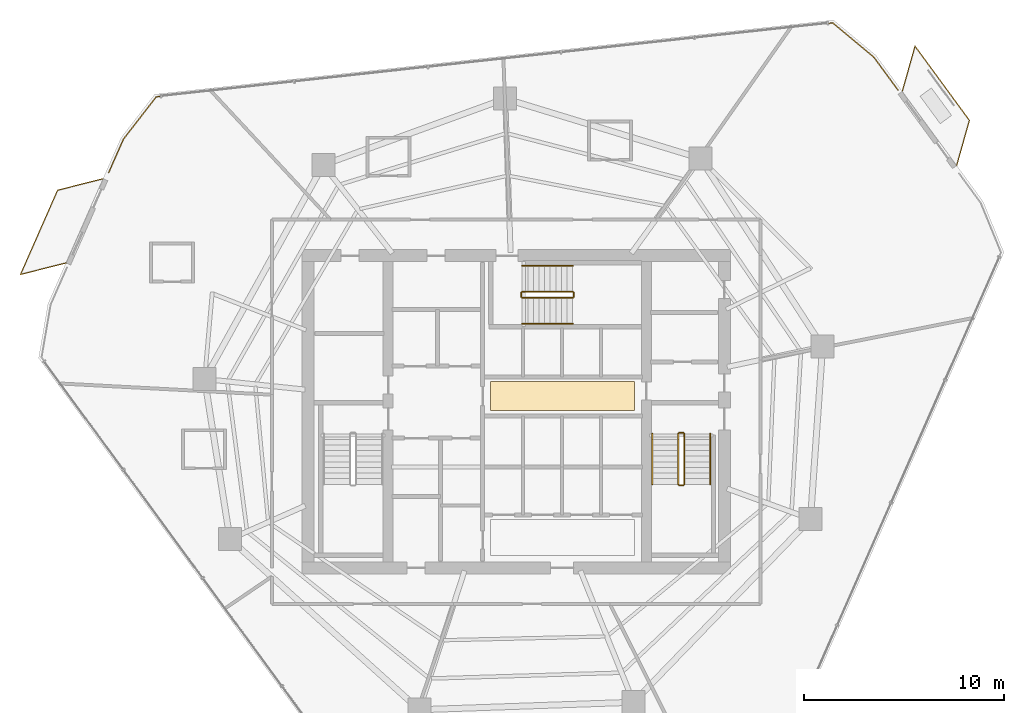
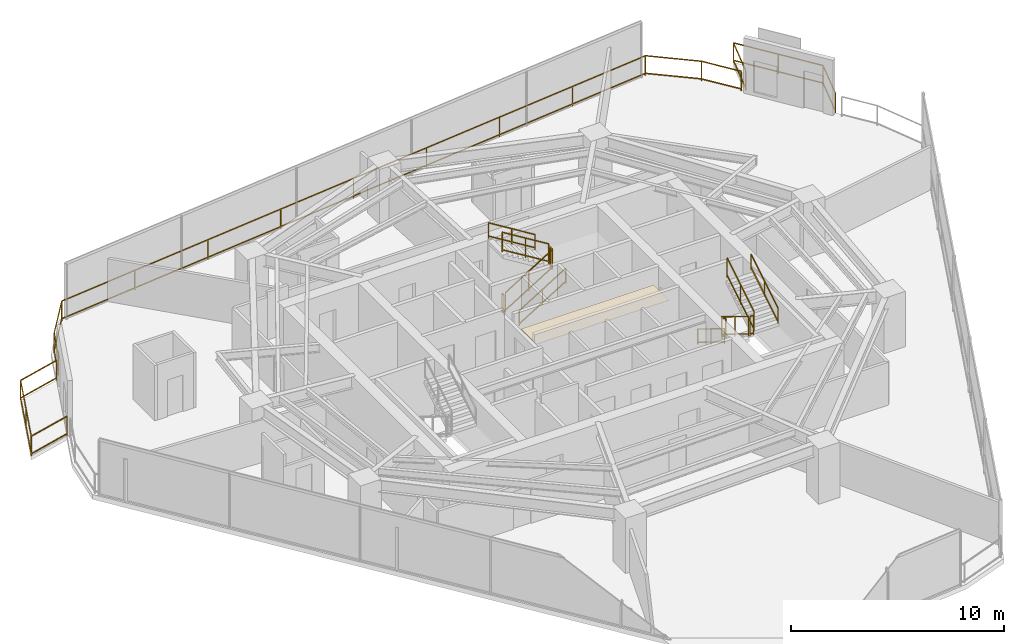
# One storey, part 30 of 30: 16 railings, 1 covering.
"""IFC4 building model written with IfcOpenShell, lengths in metres."""

from ifc_helpers import new_model, si_unit, direction, frame, origin, origin_2d, place, context, subcontext, project, spatial, rectangle, extrude, material, layer, layer_set, type_object, element, save


model = new_model("IFC4")

# Units and contexts
model_context = context("Model", 3, precision=1e-05, world=origin(), true_north=direction((0.0, 1.0)))
body_context = subcontext(model_context, "Body", "Model", "MODEL_VIEW")
ifc_project = project(units=[si_unit("LENGTHUNIT", "METRE"), si_unit("AREAUNIT", "SQUARE_METRE"), si_unit("VOLUMEUNIT", "CUBIC_METRE"), si_unit("PLANEANGLEUNIT", "RADIAN"), si_unit("MASSUNIT", "GRAM", prefix="KILO")], contexts=[model_context])

# Site, building, storey
site_placement = place(None, origin())
site = spatial("IfcSite", under=ifc_project, at=site_placement, CompositionType="ELEMENT")
building_placement = place(site_placement, origin())
building = spatial("IfcBuilding", under=site, at=building_placement, Name="Qarnah Convention Tower", CompositionType="ELEMENT")
storey_placement = place(building_placement, frame((0.0, 0.0, 90.14990234375)))
storey = spatial("IfcBuildingStorey", under=building, at=storey_placement, Name="L23", CompositionType="ELEMENT", Elevation=90.14990234375)

# Covering
ifc_material_1 = material(Name="Mineral fibre acoustic ceiling")
ifc_layer = layer(ifc_material_1, 0.02001953125)
ifc_layer_set = layer_set([ifc_layer], Name="Mineral fibre acoustic ceiling")
covering_type = type_object("IfcCoveringType", Name="COV-CEIL-20", PredefinedType="CEILING", material=ifc_layer_set)
covering_placement = place(storey_placement, frame((39.52001953125, 27.179931640625, 2.2900390625), z_axis=(0.0, 0.0, 1.0), x_axis=(1.0, 0.0, 0.0)))
element("IfcCovering", 1, at=covering_placement, inside=storey, type_object=covering_type, Name="L23 lift lobby acoustic ceiling", PredefinedType="CEILING", context=body_context, shape_type="SweptSolid", body=[
    extrude(rectangle(XDim=7.199951171875, YDim=1.449951171875, at=origin_2d()), origin(), (0.0, 0.0, 1.0), 0.02001953125),
])

# Railings
ifc_material_2 = material(Name="Black anodised aluminium", Category="aluminium")
railing_type_1 = type_object("IfcRailingType", Name="RL-EXT-GUARD-1150", PredefinedType="GUARDRAIL", material=ifc_material_2)
railing_1_placement = place(storey_placement, frame((55.069091796875, 44.115966796875, 0.0)))
element("IfcRailing", 2, at=railing_1_placement, inside=storey, type_object=railing_type_1, Name="L23 slab-edge perimeter safety guard 01", PredefinedType="GUARDRAIL", context=body_context, shape_type="SweptSolid", body=[
    extrude(rectangle(XDim=0.048095703125, YDim=0.048095703125, at=origin_2d()), frame((0.0, 0.0, 1.1259765625), z_axis=(0.591192404891, -0.806530557635, 0.0), x_axis=(0.806530557635, 0.591192404891, 0.0)), (0.0, 0.0, 1.0), 2.03955078125),
    extrude(rectangle(XDim=0.048095703125, YDim=0.048095703125, at=origin_2d()), frame((0.0, 0.0, 0.1201171875), z_axis=(0.591192404891, -0.806530557635, 0.0), x_axis=(0.806530557635, 0.591192404891, 0.0)), (0.0, 0.0, 1.0), 2.03955078125),
    extrude(rectangle(XDim=0.0419921875, YDim=0.0419921875, at=origin_2d()), origin(), (0.0, 0.0, 1.0), 1.101806640625),
    extrude(rectangle(XDim=0.0419921875, YDim=0.0419921875, at=origin_2d()), frame((1.205810546875, -1.64501953125, 0.0)), (0.0, 0.0, 1.0), 1.101806640625),
])
railing_2_placement = place(storey_placement, frame((16.843017578125, 38.343994140625, 0.0)))
element("IfcRailing", 3, at=railing_2_placement, inside=storey, type_object=railing_type_1, Name="L23 slab-edge perimeter safety guard 03", PredefinedType="GUARDRAIL", context=body_context, shape_type="SweptSolid", body=[
    extrude(rectangle(XDim=0.048095703125, YDim=0.048095703125, at=origin_2d()), frame((0.0, 0.0, 1.1259765625), z_axis=(0.402953304167, 0.915220538811, 0.0), x_axis=(-0.915220538811, 0.402953304167, 0.0)), (0.0, 0.0, 1.0), 1.8291015625),
    extrude(rectangle(XDim=0.048095703125, YDim=0.048095703125, at=origin_2d()), frame((0.0, 0.0, 0.1201171875), z_axis=(0.402953304167, 0.915220538811, 0.0), x_axis=(-0.915220538811, 0.402953304167, 0.0)), (0.0, 0.0, 1.0), 1.8291015625),
    extrude(rectangle(XDim=0.048095703125, YDim=0.048095703125, at=origin_2d()), frame((0.737060546875, 1.674072265625, 1.1259765625), z_axis=(0.612473275698, 0.790491294421, 0.0), x_axis=(-0.790491294421, 0.612473275698, 0.0)), (0.0, 0.0, 1.0), 2.67431640625),
    extrude(rectangle(XDim=0.048095703125, YDim=0.048095703125, at=origin_2d()), frame((0.737060546875, 1.674072265625, 0.1201171875), z_axis=(0.612473275698, 0.790491294421, 0.0), x_axis=(-0.790491294421, 0.612473275698, 0.0)), (0.0, 0.0, 1.0), 2.67431640625),
    extrude(rectangle(XDim=0.048095703125, YDim=0.048095703125, at=origin_2d()), frame((2.375, 3.7880859375, 1.1259765625), z_axis=(0.994076784193, 0.108680021758, 0.0), x_axis=(-0.108680021758, 0.994076784193, 0.0)), (0.0, 0.0, 1.0), 33.997314453125),
    extrude(rectangle(XDim=0.048095703125, YDim=0.048095703125, at=origin_2d()), frame((2.375, 3.7880859375, 0.1201171875), z_axis=(0.994076784193, 0.108680021758, 0.0), x_axis=(-0.108680021758, 0.994076784193, 0.0)), (0.0, 0.0, 1.0), 33.997314453125),
    extrude(rectangle(XDim=0.048095703125, YDim=0.048095703125, at=origin_2d()), frame((36.1708984375, 7.48291015625, 1.1259765625), z_axis=(0.768535487074, -0.639807162439, 0.0), x_axis=(0.639807162439, 0.768535487074, 0.0)), (0.0, 0.0, 1.0), 2.674072265625),
    extrude(rectangle(XDim=0.048095703125, YDim=0.048095703125, at=origin_2d()), frame((36.1708984375, 7.48291015625, 0.1201171875), z_axis=(0.768535487074, -0.639807162439, 0.0), x_axis=(0.639807162439, 0.768535487074, 0.0)), (0.0, 0.0, 1.0), 2.674072265625),
    extrude(rectangle(XDim=0.0419921875, YDim=0.0419921875, at=origin_2d()), origin(), (0.0, 0.0, 1.0), 1.101806640625),
    extrude(rectangle(XDim=0.0419921875, YDim=0.0419921875, at=origin_2d()), frame((0.737060546875, 1.674072265625, 0.0)), (0.0, 0.0, 1.0), 1.101806640625),
    extrude(rectangle(XDim=0.0419921875, YDim=0.0419921875, at=origin_2d()), frame((2.375, 3.7880859375, 0.0)), (0.0, 0.0, 1.0), 1.101806640625),
    extrude(rectangle(XDim=0.0419921875, YDim=0.0419921875, at=origin_2d()), frame((6.599609375, 4.25, 0.0)), (0.0, 0.0, 1.0), 1.101806640625),
    extrude(rectangle(XDim=0.0419921875, YDim=0.0419921875, at=origin_2d()), frame((10.823974609375, 4.7119140625, 0.0)), (0.0, 0.0, 1.0), 1.101806640625),
    extrude(rectangle(XDim=0.0419921875, YDim=0.0419921875, at=origin_2d()), frame((15.04833984375, 5.173583984375, 0.0)), (0.0, 0.0, 1.0), 1.101806640625),
    extrude(rectangle(XDim=0.0419921875, YDim=0.0419921875, at=origin_2d()), frame((19.27294921875, 5.635498046875, 0.0)), (0.0, 0.0, 1.0), 1.101806640625),
    extrude(rectangle(XDim=0.0419921875, YDim=0.0419921875, at=origin_2d()), frame((23.49755859375, 6.097412109375, 0.0)), (0.0, 0.0, 1.0), 1.101806640625),
    extrude(rectangle(XDim=0.0419921875, YDim=0.0419921875, at=origin_2d()), frame((27.721923828125, 6.55908203125, 0.0)), (0.0, 0.0, 1.0), 1.101806640625),
    extrude(rectangle(XDim=0.0419921875, YDim=0.0419921875, at=origin_2d()), frame((31.9462890625, 7.02099609375, 0.0)), (0.0, 0.0, 1.0), 1.101806640625),
    extrude(rectangle(XDim=0.0419921875, YDim=0.0419921875, at=origin_2d()), frame((36.1708984375, 7.48291015625, 0.0)), (0.0, 0.0, 1.0), 1.101806640625),
    extrude(rectangle(XDim=0.0419921875, YDim=0.0419921875, at=origin_2d()), frame((38.22607421875, 5.77197265625, 0.0)), (0.0, 0.0, 1.0), 1.101806640625),
])
railing_3_placement = place(storey_placement, frame((56.487060546875, 42.410888671875, 0.0)))
element("IfcRailing", 4, at=railing_3_placement, inside=storey, type_object=railing_type_1, Name="L23 balcony safety guard BAL-L23-C1", PredefinedType="GUARDRAIL", context=body_context, shape_type="SweptSolid", body=[
    extrude(rectangle(XDim=0.048095703125, YDim=0.048095703125, at=origin_2d()), frame((0.0, 0.0, 1.1259765625), z_axis=(0.271657703401, 0.962393938148, 0.0), x_axis=(-0.962393938148, 0.271657703401, 0.0)), (0.0, 0.0, 1.0), 2.348388671875),
    extrude(rectangle(XDim=0.048095703125, YDim=0.048095703125, at=origin_2d()), frame((0.0, 0.0, 0.1201171875), z_axis=(0.271657703401, 0.962393938148, 0.0), x_axis=(-0.962393938148, 0.271657703401, 0.0)), (0.0, 0.0, 1.0), 2.348388671875),
    extrude(rectangle(XDim=0.048095703125, YDim=0.048095703125, at=origin_2d()), frame((0.637939453125, 2.260009765625, 1.1259765625), z_axis=(0.591030014226, -0.806649565973, 0.0), x_axis=(0.806649565973, 0.591030014226, 0.0)), (0.0, 0.0, 1.0), 4.600341796875),
    extrude(rectangle(XDim=0.048095703125, YDim=0.048095703125, at=origin_2d()), frame((0.637939453125, 2.260009765625, 0.1201171875), z_axis=(0.591030014226, -0.806649565973, 0.0), x_axis=(0.806649565973, 0.591030014226, 0.0)), (0.0, 0.0, 1.0), 4.600341796875),
    extrude(rectangle(XDim=0.048095703125, YDim=0.048095703125, at=origin_2d()), frame((3.35693359375, -1.450927734375, 1.1259765625), z_axis=(-0.271381105899, -0.962471971208, 0.0), x_axis=(0.962471971208, -0.271381105899, 0.0)), (0.0, 0.0, 1.0), 2.34716796875),
    extrude(rectangle(XDim=0.048095703125, YDim=0.048095703125, at=origin_2d()), frame((3.35693359375, -1.450927734375, 0.1201171875), z_axis=(-0.271381105899, -0.962471971208, 0.0), x_axis=(0.962471971208, -0.271381105899, 0.0)), (0.0, 0.0, 1.0), 2.34716796875),
    extrude(rectangle(XDim=0.0419921875, YDim=0.0419921875, at=origin_2d()), origin(), (0.0, 0.0, 1.0), 1.101806640625),
    extrude(rectangle(XDim=0.0419921875, YDim=0.0419921875, at=origin_2d()), frame((0.637939453125, 2.260009765625, 0.0)), (0.0, 0.0, 1.0), 1.101806640625),
    extrude(rectangle(XDim=0.0419921875, YDim=0.0419921875, at=origin_2d()), frame((1.99755859375, 0.404541015625, 0.0)), (0.0, 0.0, 1.0), 1.101806640625),
    extrude(rectangle(XDim=0.0419921875, YDim=0.0419921875, at=origin_2d()), frame((3.35693359375, -1.450927734375, 0.0)), (0.0, 0.0, 1.0), 1.101806640625),
    extrude(rectangle(XDim=0.0419921875, YDim=0.0419921875, at=origin_2d()), frame((2.719970703125, -3.7099609375, 0.0)), (0.0, 0.0, 1.0), 1.101806640625),
])
railing_4_placement = place(storey_placement, frame((14.7119140625, 33.8359375, 0.0)))
element("IfcRailing", 5, at=railing_4_placement, inside=storey, type_object=railing_type_1, Name="L23 balcony safety guard BAL-L23-C2", PredefinedType="GUARDRAIL", context=body_context, shape_type="SweptSolid", body=[
    extrude(rectangle(XDim=0.048095703125, YDim=0.048095703125, at=origin_2d()), frame((0.0, 0.0, 1.1259765625), z_axis=(-0.969242974184, -0.246105784155, 0.0), x_axis=(0.246105784155, -0.969242974184, 0.0)), (0.0, 0.0, 1.0), 2.34814453125),
    extrude(rectangle(XDim=0.048095703125, YDim=0.048095703125, at=origin_2d()), frame((0.0, 0.0, 0.1201171875), z_axis=(-0.969242974184, -0.246105784155, 0.0), x_axis=(0.246105784155, -0.969242974184, 0.0)), (0.0, 0.0, 1.0), 2.34814453125),
    extrude(rectangle(XDim=0.048095703125, YDim=0.048095703125, at=origin_2d()), frame((-2.27587890625, -0.577880859375, 1.1259765625), z_axis=(0.402955546911, 0.915219551372, 0.0), x_axis=(-0.915219551372, 0.402955546911, 0.0)), (0.0, 0.0, 1.0), 4.60107421875),
    extrude(rectangle(XDim=0.048095703125, YDim=0.048095703125, at=origin_2d()), frame((-2.27587890625, -0.577880859375, 0.1201171875), z_axis=(0.402955546911, 0.915219551372, 0.0), x_axis=(-0.915219551372, 0.402955546911, 0.0)), (0.0, 0.0, 1.0), 4.60107421875),
    extrude(rectangle(XDim=0.048095703125, YDim=0.048095703125, at=origin_2d()), frame((-0.421875, 3.633056640625, 1.1259765625), z_axis=(0.969316983812, 0.245814126717, 0.0), x_axis=(-0.245814126717, 0.969316983812, 0.0)), (0.0, 0.0, 1.0), 2.346923828125),
    extrude(rectangle(XDim=0.048095703125, YDim=0.048095703125, at=origin_2d()), frame((-0.421875, 3.633056640625, 0.1201171875), z_axis=(0.969316983812, 0.245814126717, 0.0), x_axis=(-0.245814126717, 0.969316983812, 0.0)), (0.0, 0.0, 1.0), 2.346923828125),
    extrude(rectangle(XDim=0.0419921875, YDim=0.0419921875, at=origin_2d()), origin(), (0.0, 0.0, 1.0), 1.101806640625),
    extrude(rectangle(XDim=0.0419921875, YDim=0.0419921875, at=origin_2d()), frame((-2.27587890625, -0.577880859375, 0.0)), (0.0, 0.0, 1.0), 1.101806640625),
    extrude(rectangle(XDim=0.0419921875, YDim=0.0419921875, at=origin_2d()), frame((-1.348876953125, 1.527587890625, 0.0)), (0.0, 0.0, 1.0), 1.101806640625),
    extrude(rectangle(XDim=0.0419921875, YDim=0.0419921875, at=origin_2d()), frame((-0.421875, 3.633056640625, 0.0)), (0.0, 0.0, 1.0), 1.101806640625),
    extrude(rectangle(XDim=0.0419921875, YDim=0.0419921875, at=origin_2d()), frame((1.85302734375, 4.2099609375, 0.0)), (0.0, 0.0, 1.0), 1.101806640625),
])
ifc_material_3 = material(Name="Structural steel S355JR", Category="steel")
railing_type_2 = type_object("IfcRailingType", Name="RL-STAIR-GUARD-1150", PredefinedType="GUARDRAIL", material=ifc_material_3)
railing_5_placement = place(storey_placement, frame((45.300048828125, 25.300048828125, 0.172607421875)))
element("IfcRailing", 6, at=railing_5_placement, inside=storey, type_object=railing_type_2, Name="L23 ST-2 stair guard 1", PredefinedType="GUARDRAIL", context=body_context, shape_type="SweptSolid", body=[
    extrude(rectangle(XDim=0.048095703125, YDim=0.048095703125, at=origin_2d()), frame((0.0, 0.0, 1.1259765625), z_axis=(0.0, -0.851400495292, 0.524516154772), x_axis=(1.0, 0.0, 0.0)), (0.0, 0.0, 1.0), 2.9599609375),
    extrude(rectangle(XDim=0.048095703125, YDim=0.048095703125, at=origin_2d()), frame((0.0, 0.0, 0.1201171875), z_axis=(0.0, -0.851400495292, 0.524516154772), x_axis=(1.0, 0.0, 0.0)), (0.0, 0.0, 1.0), 2.9599609375),
    extrude(rectangle(XDim=0.0419921875, YDim=0.0419921875, at=origin_2d()), origin(), (0.0, 0.0, 1.0), 1.101806640625),
    extrude(rectangle(XDim=0.0419921875, YDim=0.0419921875, at=origin_2d()), frame((0.0, -1.260009765625, 0.7763671875)), (0.0, 0.0, 1.0), 1.101806640625),
    extrude(rectangle(XDim=0.0419921875, YDim=0.0419921875, at=origin_2d()), frame((0.0, -2.52001953125, 1.552490234375)), (0.0, 0.0, 1.0), 1.101806640625),
])
railing_6_placement = place(storey_placement, frame((45.35009765625, 22.72998046875, 1.72509765625)))
element("IfcRailing", 7, at=railing_6_placement, inside=storey, type_object=railing_type_2, Name="L23 ST-2 stair guard 2", PredefinedType="GUARDRAIL", context=body_context, shape_type="SweptSolid", body=[
    extrude(rectangle(XDim=0.048095703125, YDim=0.048095703125, at=origin_2d()), frame((0.0, 0.0, 1.1259765625), z_axis=(1.0, 0.0, 0.0), x_axis=(0.0, 1.0, 0.0)), (0.0, 0.0, 1.0), 0.199951171875),
    extrude(rectangle(XDim=0.048095703125, YDim=0.048095703125, at=origin_2d()), frame((0.0, 0.0, 0.1201171875), z_axis=(1.0, 0.0, 0.0), x_axis=(0.0, 1.0, 0.0)), (0.0, 0.0, 1.0), 0.199951171875),
    extrude(rectangle(XDim=0.0419921875, YDim=0.0419921875, at=origin_2d()), origin(), (0.0, 0.0, 1.0), 1.101806640625),
    extrude(rectangle(XDim=0.0419921875, YDim=0.0419921875, at=origin_2d()), frame((0.199951171875, 0.0, 0.0)), (0.0, 0.0, 1.0), 1.101806640625),
])
railing_7_placement = place(storey_placement, frame((45.60009765625, 22.780029296875, 1.897705078125)))
element("IfcRailing", 8, at=railing_7_placement, inside=storey, type_object=railing_type_2, Name="L23 ST-2 stair guard 3", PredefinedType="GUARDRAIL", context=body_context, shape_type="SweptSolid", body=[
    extrude(rectangle(XDim=0.048095703125, YDim=0.048095703125, at=origin_2d()), frame((0.0, 0.0, 1.1259765625), z_axis=(0.0, 0.851400495292, 0.524516154772), x_axis=(-1.0, 0.0, 0.0)), (0.0, 0.0, 1.0), 2.9599609375),
    extrude(rectangle(XDim=0.048095703125, YDim=0.048095703125, at=origin_2d()), frame((0.0, 0.0, 0.1201171875), z_axis=(0.0, 0.851400495292, 0.524516154772), x_axis=(-1.0, 0.0, 0.0)), (0.0, 0.0, 1.0), 2.9599609375),
    extrude(rectangle(XDim=0.0419921875, YDim=0.0419921875, at=origin_2d()), origin(), (0.0, 0.0, 1.0), 1.101806640625),
    extrude(rectangle(XDim=0.0419921875, YDim=0.0419921875, at=origin_2d()), frame((0.0, 1.260009765625, 0.7763671875)), (0.0, 0.0, 1.0), 1.101806640625),
    extrude(rectangle(XDim=0.0419921875, YDim=0.0419921875, at=origin_2d()), frame((0.0, 2.52001953125, 1.552490234375)), (0.0, 0.0, 1.0), 1.101806640625),
])
railing_8_placement = place(storey_placement, frame((45.35009765625, 25.35009765625, 0.0)))
element("IfcRailing", 9, at=railing_8_placement, inside=storey, type_object=railing_type_2, Name="L23 ST-2 stair guard 4", PredefinedType="GUARDRAIL", context=body_context, shape_type="SweptSolid", body=[
    extrude(rectangle(XDim=0.048095703125, YDim=0.048095703125, at=origin_2d()), frame((0.0, 0.0, 1.1259765625), z_axis=(1.0, 0.0, 0.0), x_axis=(0.0, 1.0, 0.0)), (0.0, 0.0, 1.0), 0.199951171875),
    extrude(rectangle(XDim=0.048095703125, YDim=0.048095703125, at=origin_2d()), frame((0.0, 0.0, 0.1201171875), z_axis=(1.0, 0.0, 0.0), x_axis=(0.0, 1.0, 0.0)), (0.0, 0.0, 1.0), 0.199951171875),
    extrude(rectangle(XDim=0.0419921875, YDim=0.0419921875, at=origin_2d()), origin(), (0.0, 0.0, 1.0), 1.101806640625),
    extrude(rectangle(XDim=0.0419921875, YDim=0.0419921875, at=origin_2d()), frame((0.199951171875, 0.0, 0.0)), (0.0, 0.0, 1.0), 1.101806640625),
])
railing_9_placement = place(storey_placement, frame((37.5, 32.10009765625, 0.172607421875)))
element("IfcRailing", 10, at=railing_9_placement, inside=storey, type_object=railing_type_2, Name="L23 ST-3 stair guard 1", PredefinedType="GUARDRAIL", context=body_context, shape_type="SweptSolid", body=[
    extrude(rectangle(XDim=0.048095703125, YDim=0.048095703125, at=origin_2d()), frame((0.0, 0.0, 1.1259765625), z_axis=(0.851400495292, 0.0, 0.524516154772), x_axis=(0.0, 1.0, 0.0)), (0.0, 0.0, 1.0), 2.9599609375),
    extrude(rectangle(XDim=0.048095703125, YDim=0.048095703125, at=origin_2d()), frame((0.0, 0.0, 0.1201171875), z_axis=(0.851400495292, 0.0, 0.524516154772), x_axis=(0.0, 1.0, 0.0)), (0.0, 0.0, 1.0), 2.9599609375),
    extrude(rectangle(XDim=0.0419921875, YDim=0.0419921875, at=origin_2d()), origin(), (0.0, 0.0, 1.0), 1.101806640625),
    extrude(rectangle(XDim=0.0419921875, YDim=0.0419921875, at=origin_2d()), frame((1.260009765625, 0.0, 0.7763671875)), (0.0, 0.0, 1.0), 1.101806640625),
    extrude(rectangle(XDim=0.0419921875, YDim=0.0419921875, at=origin_2d()), frame((2.52001953125, 0.0, 1.552490234375)), (0.0, 0.0, 1.0), 1.101806640625),
])
railing_10_placement = place(storey_placement, frame((40.070068359375, 32.14990234375, 1.72509765625)))
element("IfcRailing", 11, at=railing_10_placement, inside=storey, type_object=railing_type_2, Name="L23 ST-3 stair guard 2", PredefinedType="GUARDRAIL", context=body_context, shape_type="SweptSolid", body=[
    extrude(rectangle(XDim=0.048095703125, YDim=0.048095703125, at=origin_2d()), frame((0.0, 0.0, 1.1259765625), z_axis=(0.0, 1.0, 0.0), x_axis=(-1.0, 0.0, 0.0)), (0.0, 0.0, 1.0), 0.2001953125),
    extrude(rectangle(XDim=0.048095703125, YDim=0.048095703125, at=origin_2d()), frame((0.0, 0.0, 0.1201171875), z_axis=(0.0, 1.0, 0.0), x_axis=(-1.0, 0.0, 0.0)), (0.0, 0.0, 1.0), 0.2001953125),
    extrude(rectangle(XDim=0.0419921875, YDim=0.0419921875, at=origin_2d()), origin(), (0.0, 0.0, 1.0), 1.101806640625),
    extrude(rectangle(XDim=0.0419921875, YDim=0.0419921875, at=origin_2d()), frame((0.0, 0.2001953125, 0.0)), (0.0, 0.0, 1.0), 1.101806640625),
])
railing_11_placement = place(storey_placement, frame((40.02001953125, 32.39990234375, 1.897705078125)))
element("IfcRailing", 12, at=railing_11_placement, inside=storey, type_object=railing_type_2, Name="L23 ST-3 stair guard 3", PredefinedType="GUARDRAIL", context=body_context, shape_type="SweptSolid", body=[
    extrude(rectangle(XDim=0.048095703125, YDim=0.048095703125, at=origin_2d()), frame((0.0, 0.0, 1.1259765625), z_axis=(-0.851400495292, 0.0, 0.524516154772), x_axis=(0.0, -1.0, 0.0)), (0.0, 0.0, 1.0), 2.9599609375),
    extrude(rectangle(XDim=0.048095703125, YDim=0.048095703125, at=origin_2d()), frame((0.0, 0.0, 0.1201171875), z_axis=(-0.851400495292, 0.0, 0.524516154772), x_axis=(0.0, -1.0, 0.0)), (0.0, 0.0, 1.0), 2.9599609375),
    extrude(rectangle(XDim=0.0419921875, YDim=0.0419921875, at=origin_2d()), origin(), (0.0, 0.0, 1.0), 1.101806640625),
    extrude(rectangle(XDim=0.0419921875, YDim=0.0419921875, at=origin_2d()), frame((-1.260009765625, 0.0, 0.7763671875)), (0.0, 0.0, 1.0), 1.101806640625),
    extrude(rectangle(XDim=0.0419921875, YDim=0.0419921875, at=origin_2d()), frame((-2.52001953125, 0.0, 1.552490234375)), (0.0, 0.0, 1.0), 1.101806640625),
])
railing_12_placement = place(storey_placement, frame((37.449951171875, 32.14990234375, 0.0)))
element("IfcRailing", 13, at=railing_12_placement, inside=storey, type_object=railing_type_2, Name="L23 ST-3 stair guard 4", PredefinedType="GUARDRAIL", context=body_context, shape_type="SweptSolid", body=[
    extrude(rectangle(XDim=0.048095703125, YDim=0.048095703125, at=origin_2d()), frame((0.0, 0.0, 1.1259765625), z_axis=(0.0, 1.0, 0.0), x_axis=(-1.0, 0.0, 0.0)), (0.0, 0.0, 1.0), 0.2001953125),
    extrude(rectangle(XDim=0.048095703125, YDim=0.048095703125, at=origin_2d()), frame((0.0, 0.0, 0.1201171875), z_axis=(0.0, 1.0, 0.0), x_axis=(-1.0, 0.0, 0.0)), (0.0, 0.0, 1.0), 0.2001953125),
    extrude(rectangle(XDim=0.0419921875, YDim=0.0419921875, at=origin_2d()), origin(), (0.0, 0.0, 1.0), 1.101806640625),
    extrude(rectangle(XDim=0.0419921875, YDim=0.0419921875, at=origin_2d()), frame((0.0, 0.2001953125, 0.0)), (0.0, 0.0, 1.0), 1.101806640625),
])
railing_type_3 = type_object("IfcRailingType", Name="RL-STAIR-HAND-900", PredefinedType="HANDRAIL", material=ifc_material_3)
railing_13_placement = place(storey_placement, frame((44.0, 25.300048828125, 0.172607421875)))
element("IfcRailing", 14, at=railing_13_placement, inside=storey, type_object=railing_type_3, Name="L23 ST-2 stair handrail 1", PredefinedType="HANDRAIL", context=body_context, shape_type="SweptSolid", body=[
    extrude(rectangle(XDim=0.048095703125, YDim=0.048095703125, at=origin_2d()), frame((0.0, 0.0, 0.8759765625), z_axis=(0.0, -0.851400495292, 0.524516154772), x_axis=(1.0, 0.0, 0.0)), (0.0, 0.0, 1.0), 2.9599609375),
    extrude(rectangle(XDim=0.048095703125, YDim=0.048095703125, at=origin_2d()), frame((0.0, 0.0, 0.1201171875), z_axis=(0.0, -0.851400495292, 0.524516154772), x_axis=(1.0, 0.0, 0.0)), (0.0, 0.0, 1.0), 2.9599609375),
    extrude(rectangle(XDim=0.0419921875, YDim=0.0419921875, at=origin_2d()), origin(), (0.0, 0.0, 1.0), 0.851806640625),
    extrude(rectangle(XDim=0.0419921875, YDim=0.0419921875, at=origin_2d()), frame((0.0, -1.260009765625, 0.7763671875)), (0.0, 0.0, 1.0), 0.851806640625),
    extrude(rectangle(XDim=0.0419921875, YDim=0.0419921875, at=origin_2d()), frame((0.0, -2.52001953125, 1.552490234375)), (0.0, 0.0, 1.0), 0.851806640625),
])
railing_14_placement = place(storey_placement, frame((46.89990234375, 22.780029296875, 1.897705078125)))
element("IfcRailing", 15, at=railing_14_placement, inside=storey, type_object=railing_type_3, Name="L23 ST-2 stair handrail 2", PredefinedType="HANDRAIL", context=body_context, shape_type="SweptSolid", body=[
    extrude(rectangle(XDim=0.048095703125, YDim=0.048095703125, at=origin_2d()), frame((0.0, 0.0, 0.8759765625), z_axis=(0.0, 0.851400495292, 0.524516154772), x_axis=(-1.0, 0.0, 0.0)), (0.0, 0.0, 1.0), 2.9599609375),
    extrude(rectangle(XDim=0.048095703125, YDim=0.048095703125, at=origin_2d()), frame((0.0, 0.0, 0.1201171875), z_axis=(0.0, 0.851400495292, 0.524516154772), x_axis=(-1.0, 0.0, 0.0)), (0.0, 0.0, 1.0), 2.9599609375),
    extrude(rectangle(XDim=0.0419921875, YDim=0.0419921875, at=origin_2d()), origin(), (0.0, 0.0, 1.0), 0.851806640625),
    extrude(rectangle(XDim=0.0419921875, YDim=0.0419921875, at=origin_2d()), frame((0.0, 1.260009765625, 0.7763671875)), (0.0, 0.0, 1.0), 0.851806640625),
    extrude(rectangle(XDim=0.0419921875, YDim=0.0419921875, at=origin_2d()), frame((0.0, 2.52001953125, 1.552490234375)), (0.0, 0.0, 1.0), 0.851806640625),
])
railing_15_placement = place(storey_placement, frame((37.5, 30.800048828125, 0.172607421875)))
element("IfcRailing", 16, at=railing_15_placement, inside=storey, type_object=railing_type_3, Name="L23 ST-3 stair handrail 1", PredefinedType="HANDRAIL", context=body_context, shape_type="SweptSolid", body=[
    extrude(rectangle(XDim=0.048095703125, YDim=0.048095703125, at=origin_2d()), frame((0.0, 0.0, 0.8759765625), z_axis=(0.851400495292, 0.0, 0.524516154772), x_axis=(0.0, 1.0, 0.0)), (0.0, 0.0, 1.0), 2.9599609375),
    extrude(rectangle(XDim=0.048095703125, YDim=0.048095703125, at=origin_2d()), frame((0.0, 0.0, 0.1201171875), z_axis=(0.851400495292, 0.0, 0.524516154772), x_axis=(0.0, 1.0, 0.0)), (0.0, 0.0, 1.0), 2.9599609375),
    extrude(rectangle(XDim=0.0419921875, YDim=0.0419921875, at=origin_2d()), origin(), (0.0, 0.0, 1.0), 0.851806640625),
    extrude(rectangle(XDim=0.0419921875, YDim=0.0419921875, at=origin_2d()), frame((1.260009765625, 0.0, 0.7763671875)), (0.0, 0.0, 1.0), 0.851806640625),
    extrude(rectangle(XDim=0.0419921875, YDim=0.0419921875, at=origin_2d()), frame((2.52001953125, 0.0, 1.552490234375)), (0.0, 0.0, 1.0), 0.851806640625),
])
railing_16_placement = place(storey_placement, frame((40.02001953125, 33.699951171875, 1.897705078125)))
element("IfcRailing", 17, at=railing_16_placement, inside=storey, type_object=railing_type_3, Name="L23 ST-3 stair handrail 2", PredefinedType="HANDRAIL", context=body_context, shape_type="SweptSolid", body=[
    extrude(rectangle(XDim=0.048095703125, YDim=0.048095703125, at=origin_2d()), frame((0.0, 0.0, 0.8759765625), z_axis=(-0.851400495292, 0.0, 0.524516154772), x_axis=(0.0, -1.0, 0.0)), (0.0, 0.0, 1.0), 2.9599609375),
    extrude(rectangle(XDim=0.048095703125, YDim=0.048095703125, at=origin_2d()), frame((0.0, 0.0, 0.1201171875), z_axis=(-0.851400495292, 0.0, 0.524516154772), x_axis=(0.0, -1.0, 0.0)), (0.0, 0.0, 1.0), 2.9599609375),
    extrude(rectangle(XDim=0.0419921875, YDim=0.0419921875, at=origin_2d()), origin(), (0.0, 0.0, 1.0), 0.851806640625),
    extrude(rectangle(XDim=0.0419921875, YDim=0.0419921875, at=origin_2d()), frame((-1.260009765625, 0.0, 0.7763671875)), (0.0, 0.0, 1.0), 0.851806640625),
    extrude(rectangle(XDim=0.0419921875, YDim=0.0419921875, at=origin_2d()), frame((-2.52001953125, 0.0, 1.552490234375)), (0.0, 0.0, 1.0), 0.851806640625),
])

save(model, "model.ifc")
